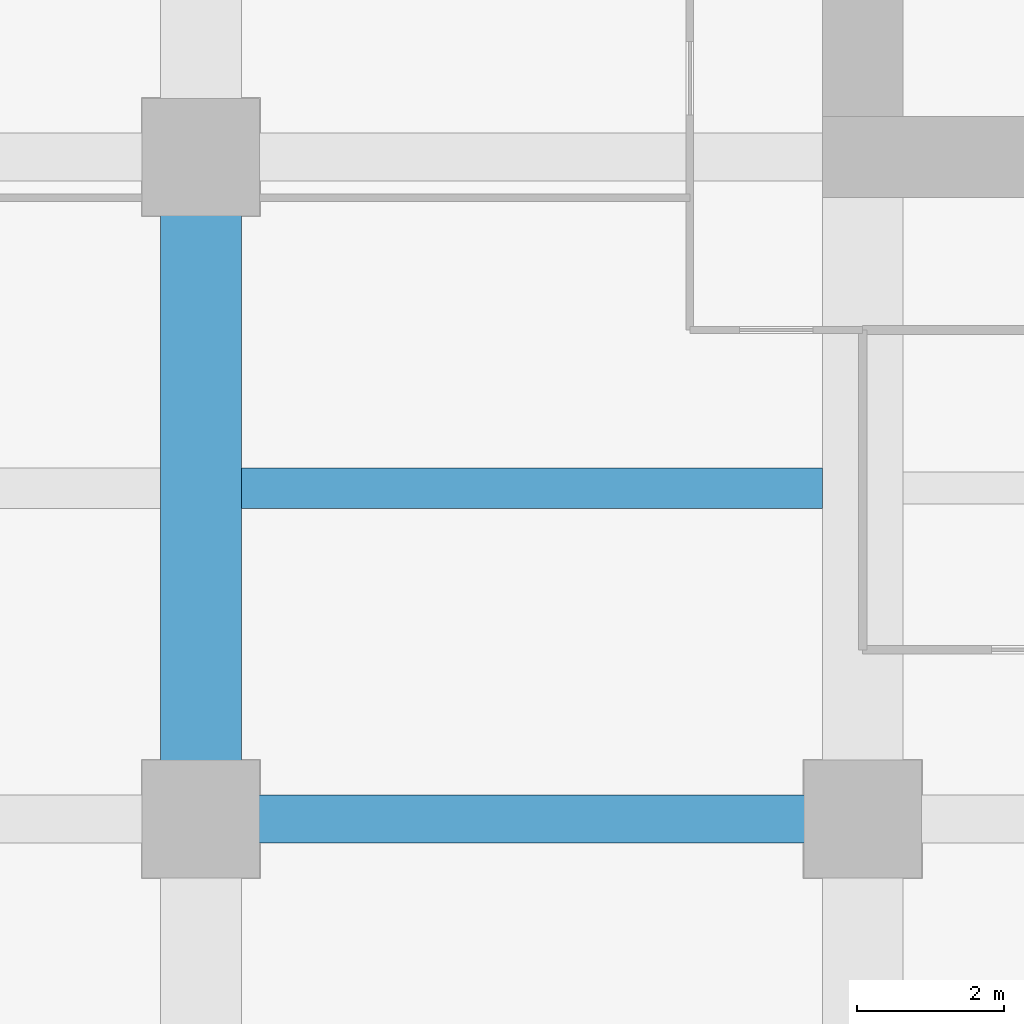
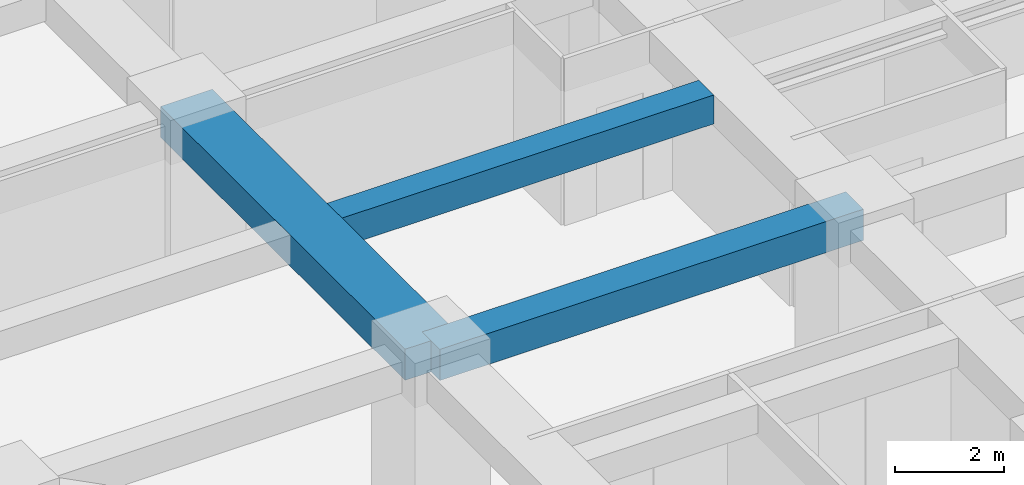
# One storey, part 5 of 33: 3 beams.
"""IFC4 building model written with IfcOpenShell, lengths in metres."""

from ifc_helpers import new_model, si_unit, direction, frame, origin, origin_2d, place, context, subcontext, project, spatial, rectangle, extrude, material, material_profile, profile_set, type_object, element, save


model = new_model("IFC4")

# Units and contexts
model_context = context("Model", 3, precision=1e-05, world=origin(), true_north=direction((0.0, 1.0)))
body_context = subcontext(model_context, "Body", "Model", "MODEL_VIEW")
ifc_project = project(units=[si_unit("LENGTHUNIT", "METRE"), si_unit("AREAUNIT", "SQUARE_METRE"), si_unit("VOLUMEUNIT", "CUBIC_METRE"), si_unit("PLANEANGLEUNIT", "RADIAN"), si_unit("MASSUNIT", "GRAM", prefix="KILO")], contexts=[model_context])

# Site, building, storey
site_placement = place(None, origin())
site = spatial("IfcSite", under=ifc_project, at=site_placement, CompositionType="ELEMENT")
building_placement = place(site_placement, origin())
building = spatial("IfcBuilding", under=site, at=building_placement, Name="Zorevar Civic Tower", CompositionType="ELEMENT")
storey_placement = place(building_placement, frame((0.0, 0.0, 178.199951171875)))
storey = spatial("IfcBuildingStorey", under=building, at=storey_placement, Name="L43", CompositionType="ELEMENT", Elevation=178.199951171875)

# Beams
ifc_material_1 = material(Name="Concrete C50/60", Category="concrete")
ifc_material_profile_1 = material_profile(ifc_material_1, rectangle(XDim=1.10009765625, YDim=0.699951171875, at=origin_2d()), Name="RC 1100x700")
ifc_profile_set_1 = profile_set([ifc_material_profile_1], Name="Concrete C50/60")
beam_type_1 = type_object("IfcBeamType", Name="Beam RC 1100x700", PredefinedType="BEAM", material=ifc_profile_set_1)
beam_1_placement = place(storey_placement, frame((9.0, 9.0, 3.400146484375), z_axis=(0.0, 1.0, 0.0), x_axis=(-1.0, 0.0, 0.0)))
element("IfcBeam", 1, at=beam_1_placement, inside=storey, type_object=beam_type_1, Name="Girder L44", PredefinedType="BEAM", context=body_context, shape_type="SweptSolid", body=[
    extrude(rectangle(XDim=1.10009765625, YDim=0.699951171875, at=origin_2d()), origin(), (0.0, 0.0, 1.0), 9.0),
])
ifc_material_2 = material(Name="Concrete C50/60", Category="concrete")
ifc_material_profile_2 = material_profile(ifc_material_2, rectangle(XDim=0.550048828125, YDim=0.64990234375, at=origin_2d()), Name="RC 550x650")
ifc_profile_set_2 = profile_set([ifc_material_profile_2], Name="Concrete C50/60")
beam_type_2 = type_object("IfcBeamType", Name="Beam RC 550x650", PredefinedType="BEAM", material=ifc_profile_set_2)
beam_2_placement = place(storey_placement, frame((9.550048828125, 13.5, 3.425048828125), z_axis=(1.0, 0.0, 0.0), x_axis=(0.0, 1.0, 0.0)))
element("IfcBeam", 2, at=beam_2_placement, inside=storey, type_object=beam_type_2, Name="Secondary beam L44", PredefinedType="BEAM", context=body_context, shape_type="SweptSolid", body=[
    extrude(rectangle(XDim=0.550048828125, YDim=0.64990234375, at=origin_2d()), origin(), (0.0, 0.0, 1.0), 7.89990234375),
])
ifc_material_3 = material(Name="Concrete C50/60", Category="concrete")
ifc_material_profile_3 = material_profile(ifc_material_3, rectangle(XDim=0.64990234375, YDim=0.699951171875, at=origin_2d()), Name="RC 650x700")
ifc_profile_set_3 = profile_set([ifc_material_profile_3], Name="Concrete C50/60")
beam_type_3 = type_object("IfcBeamType", Name="Beam RC 650x700", PredefinedType="BEAM", material=ifc_profile_set_3)
beam_3_placement = place(storey_placement, frame((9.0, 9.0, 3.400146484375), z_axis=(1.0, 0.0, 0.0), x_axis=(0.0, 1.0, 0.0)))
element("IfcBeam", 3, at=beam_3_placement, inside=storey, type_object=beam_type_3, Name="Girder L44", PredefinedType="BEAM", context=body_context, shape_type="SweptSolid", body=[
    extrude(rectangle(XDim=0.64990234375, YDim=0.699951171875, at=origin_2d()), origin(), (0.0, 0.0, 1.0), 9.0),
])

save(model, "model.ifc")
